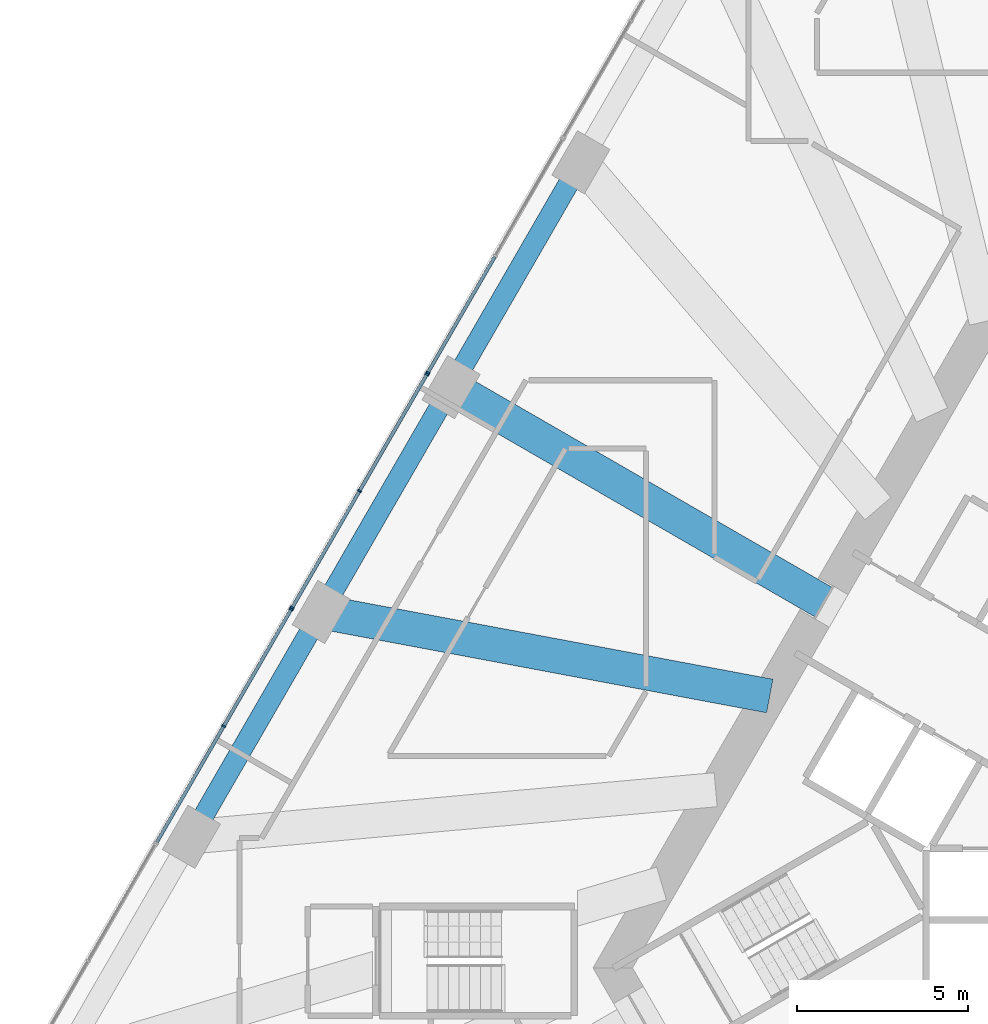
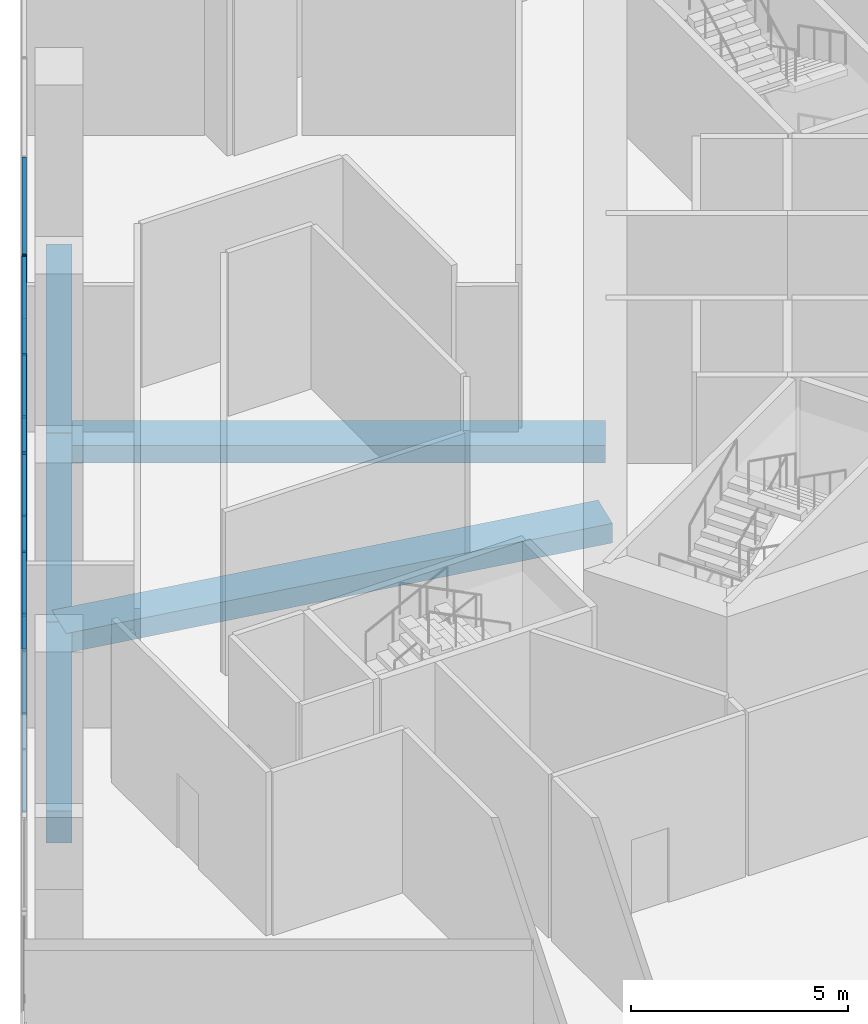
# One storey, part 12 of 32: 16 members, 5 beams, 3 elements without a shape of their own.
"""IFC4 building model written with IfcOpenShell, lengths in metres."""

from ifc_helpers import new_model, si_unit, direction, frame, origin, origin_2d, place, context, subcontext, project, spatial, rectangle, extrude, material, layer, layer_set, material_profile, profile_set, type_object, element, aggregate, save


model = new_model("IFC4")

# Units and contexts
model_context = context("Model", 3, precision=1e-05, world=origin(), true_north=direction((0.0, 1.0)))
body_context = subcontext(model_context, "Body", "Model", "MODEL_VIEW")
ifc_project = project(units=[si_unit("LENGTHUNIT", "METRE"), si_unit("AREAUNIT", "SQUARE_METRE"), si_unit("VOLUMEUNIT", "CUBIC_METRE"), si_unit("PLANEANGLEUNIT", "RADIAN"), si_unit("MASSUNIT", "GRAM", prefix="KILO")], contexts=[model_context])

# Site, building, storey
site_placement = place(None, origin())
site = spatial("IfcSite", under=ifc_project, at=site_placement, CompositionType="ELEMENT")
building_placement = place(site_placement, origin())
building = spatial("IfcBuilding", under=site, at=building_placement, Name="Triada Interchange Tower", CompositionType="ELEMENT")
storey_placement = place(building_placement, frame((0.0, 0.0, 25.300048828125)))
storey = spatial("IfcBuildingStorey", under=building, at=storey_placement, Name="L04", CompositionType="ELEMENT", Elevation=25.300048828125)

# Curtain wall, member
ifc_material_1 = material(Name="Aluminium framed glazing", Category="aluminium")
ifc_layer = layer(ifc_material_1, 0.199951171875)
ifc_layer_set = layer_set([ifc_layer], Name="Curtain wall Winter garden glazing")
curtain_wall_type = type_object("IfcCurtainWallType", Name="Curtain wall Winter garden glazing", PredefinedType="NOTDEFINED", material=ifc_layer_set)
curtain_wall_1_placement = place(storey_placement, origin())
curtain_wall_1 = element("IfcCurtainWall", 1, at=curtain_wall_1_placement, inside=storey, type_object=curtain_wall_type, Name="Winter garden glazing CW025 L04", PredefinedType="NOTDEFINED")
ifc_material_2 = material(Name="Aluminium", Category="aluminium")
ifc_material_profile_1 = material_profile(ifc_material_2, rectangle(XDim=0.1201171875, YDim=0.050048828125, at=origin_2d()), Name="Aluminium mullion")
ifc_profile_set_1 = profile_set([ifc_material_profile_1], Name="Aluminium")
member_type_1 = type_object("IfcMemberType", Name="Mullion Winter garden glazing 120x50", PredefinedType="MULLION", material=ifc_profile_set_1)
member_1_placement = place(storey_placement, frame((-19.383544921875, 11.2255859375, 0.0), z_axis=(0.0, 0.0, 1.0), x_axis=(0.866086968603, -0.499893351442, 0.0)))
member_1 = element("IfcMember", 2, at=member_1_placement, type_object=member_type_1, Name="CW025 mullion 3", PredefinedType="MULLION", context=body_context, shape_type="SweptSolid", body=[
    extrude(rectangle(XDim=0.1201171875, YDim=0.050048828125, at=origin_2d()), origin(), (0.0, 0.0, 1.0), 4.599853515625),
])

# Curtain wall, members
curtain_wall_2_placement = place(storey_placement, origin())
curtain_wall_2 = element("IfcCurtainWall", 3, at=curtain_wall_2_placement, inside=storey, type_object=curtain_wall_type, Name="Winter garden glazing CW026 L04", PredefinedType="NOTDEFINED")
member_2_placement = place(storey_placement, frame((-19.41455078125, 11.17431640625, 0.0), z_axis=(0.0, 0.0, 1.0), x_axis=(0.866086968603, -0.499893351442, 0.0)))
member_2 = element("IfcMember", 4, at=member_2_placement, type_object=member_type_1, Name="CW026 mullion 1", PredefinedType="MULLION", context=body_context, shape_type="SweptSolid", body=[
    extrude(rectangle(XDim=0.1201171875, YDim=0.050048828125, at=origin_2d()), origin(), (0.0, 0.0, 1.0), 4.599853515625),
])
member_3_placement = place(storey_placement, frame((-21.385498046875, 7.759521484375, 0.0), z_axis=(0.0, 0.0, 1.0), x_axis=(0.866086968603, -0.499893351442, 0.0)))
member_3 = element("IfcMember", 5, at=member_3_placement, type_object=member_type_1, Name="CW026 mullion 2", PredefinedType="MULLION", context=body_context, shape_type="SweptSolid", body=[
    extrude(rectangle(XDim=0.1201171875, YDim=0.050048828125, at=origin_2d()), origin(), (0.0, 0.0, 1.0), 4.599853515625),
])
member_4_placement = place(storey_placement, frame((-23.3564453125, 4.3447265625, 0.0), z_axis=(0.0, 0.0, 1.0), x_axis=(0.866086968603, -0.499893351442, 0.0)))
member_4 = element("IfcMember", 6, at=member_4_placement, type_object=member_type_1, Name="CW026 mullion 3", PredefinedType="MULLION", context=body_context, shape_type="SweptSolid", body=[
    extrude(rectangle(XDim=0.1201171875, YDim=0.050048828125, at=origin_2d()), origin(), (0.0, 0.0, 1.0), 4.599853515625),
])

curtain_wall_3_placement = place(storey_placement, origin())
curtain_wall_3 = element("IfcCurtainWall", 7, at=curtain_wall_3_placement, inside=storey, type_object=curtain_wall_type, Name="Winter garden glazing CW027 L04", PredefinedType="NOTDEFINED")
member_5_placement = place(storey_placement, frame((-23.387451171875, 4.292236328125, 0.0), z_axis=(0.0, 0.0, 1.0), x_axis=(0.866055473648, -0.499947913852, 0.0)))
member_5 = element("IfcMember", 8, at=member_5_placement, type_object=member_type_1, Name="CW027 mullion 1", PredefinedType="MULLION", context=body_context, shape_type="SweptSolid", body=[
    extrude(rectangle(XDim=0.1201171875, YDim=0.050048828125, at=origin_2d()), origin(), (0.0, 0.0, 1.0), 4.599853515625),
])
member_6_placement = place(storey_placement, frame((-25.3583984375, 0.8779296875, 0.0), z_axis=(0.0, 0.0, 1.0), x_axis=(0.866055473648, -0.499947913852, 0.0)))
member_6 = element("IfcMember", 9, at=member_6_placement, type_object=member_type_1, Name="CW027 mullion 2", PredefinedType="MULLION", context=body_context, shape_type="SweptSolid", body=[
    extrude(rectangle(XDim=0.1201171875, YDim=0.050048828125, at=origin_2d()), origin(), (0.0, 0.0, 1.0), 4.599853515625),
])

# Beams
ifc_material_3 = material(Name="Concrete C50/60", Category="concrete")
ifc_material_profile_2 = material_profile(ifc_material_3, rectangle(XDim=1.0, YDim=0.5, at=origin_2d()), Name="RC 1000x500")
ifc_profile_set_2 = profile_set([ifc_material_profile_2], Name="Concrete C50/60")
beam_type_1 = type_object("IfcBeamType", Name="Radial band beam P RC 1000x500", PredefinedType="BEAM", material=ifc_profile_set_2)
beam_1_placement = place(storey_placement, frame((-18.7060546875, 10.800048828125, -0.650146484375), z_axis=(0.866027481415, -0.499996401421, 0.0), x_axis=(0.499996401421, 0.866027481415, 0.0)))
element("IfcBeam", 10, at=beam_1_placement, inside=storey, type_object=beam_type_1, Name="Radial band beam BP05 L04", PredefinedType="BEAM", context=body_context, shape_type="SweptSolid", body=[
    extrude(rectangle(XDim=1.0, YDim=0.5, at=origin_2d()), origin(), (0.0, 0.0, 1.0), 12.60009765625),
])
ifc_material_profile_3 = material_profile(ifc_material_3, rectangle(XDim=1.0, YDim=0.550048828125, at=origin_2d()), Name="RC 1000x550")
ifc_profile_set_3 = profile_set([ifc_material_profile_3], Name="Concrete C50/60")
beam_type_2 = type_object("IfcBeamType", Name="Radial band beam P RC 1000x550", PredefinedType="BEAM", material=ifc_profile_set_3)
beam_2_placement = place(storey_placement, frame((-22.506103515625, 4.218994140625, -0.675048828125), z_axis=(0.982880256044, -0.184245494596, 0.0), x_axis=(0.184245494596, 0.982880256044, 0.0)))
element("IfcBeam", 11, at=beam_2_placement, inside=storey, type_object=beam_type_2, Name="Radial band beam BP06 L04", PredefinedType="BEAM", context=body_context, shape_type="SweptSolid", body=[
    extrude(rectangle(XDim=1.0, YDim=0.550048828125, at=origin_2d()), origin(), (0.0, 0.0, 1.0), 13.35693359375),
])
ifc_material_profile_4 = material_profile(ifc_material_3, rectangle(XDim=0.60009765625, YDim=0.89990234375, at=origin_2d()), Name="RC 600x900")
ifc_profile_set_4 = profile_set([ifc_material_profile_4], Name="Concrete C50/60")
beam_type_3 = type_object("IfcBeamType", Name="Spandrel beam P RC 600x900", PredefinedType="BEAM", material=ifc_profile_set_4)
for number, where, z_axis, x_axis, name in (
    (12, (-14.906005859375, 17.381103515625, -0.85009765625), (-0.500046891162, -0.865998329467, 0.0), (0.865998329467, -0.500046891162, 0.0), "Spandrel beam EP04 L04"),
    (13, (-18.7060546875, 10.800048828125, -0.85009765625), (-0.500046891162, -0.865998329467, 0.0), (0.865998329467, -0.500046891162, 0.0), "Spandrel beam EP05 L04"),
    (14, (-22.506103515625, 4.218994140625, -0.85009765625), (-0.500022797313, -0.86601224135, 0.0), (0.86601224135, -0.500022797313, 0.0), "Spandrel beam EP06 L04"),
):
    element("IfcBeam", number, at=place(storey_placement, frame(where, z_axis=z_axis, x_axis=x_axis)), inside=storey, type_object=beam_type_3, Name=name, PredefinedType="BEAM", context=body_context, shape_type="SweptSolid", body=[
        extrude(rectangle(XDim=0.60009765625, YDim=0.89990234375, at=origin_2d()), origin(), (0.0, 0.0, 1.0), 7.599365234375),
    ])

# Member
ifc_material_profile_5 = material_profile(ifc_material_2, rectangle(XDim=0.10009765625, YDim=0.050048828125, at=origin_2d()), Name="Aluminium transom")
ifc_profile_set_5 = profile_set([ifc_material_profile_5], Name="Aluminium")
member_type_2 = type_object("IfcMemberType", Name="Transom Winter garden glazing 100x50", PredefinedType="USERDEFINED", material=ifc_profile_set_5)
member_7_placement = place(storey_placement, frame((-17.425048828125, 14.618896484375, 0.02490234375), z_axis=(-0.499896178229, -0.866085337015, 0.0), x_axis=(0.866085337015, -0.499896178229, 0.0)))
member_7 = element("IfcMember", 15, at=member_7_placement, type_object=member_type_2, Name="CW025 transom 2.1", ObjectType="TRANSOM", PredefinedType="USERDEFINED", context=body_context, shape_type="SweptSolid", body=[
    extrude(rectangle(XDim=0.10009765625, YDim=0.050048828125, at=origin_2d()), origin(), (0.0, 0.0, 1.0), 3.892822265625),
])

member_8_placement = place(storey_placement, frame((-17.425048828125, 14.618896484375, 4.574951171875), z_axis=(-0.499896178229, -0.866085337015, 0.0), x_axis=(0.866085337015, -0.499896178229, 0.0)))
member_8 = element("IfcMember", 16, at=member_8_placement, type_object=member_type_2, Name="CW025 transom 2.2", ObjectType="TRANSOM", PredefinedType="USERDEFINED", context=body_context, shape_type="SweptSolid", body=[
    extrude(rectangle(XDim=0.10009765625, YDim=0.050048828125, at=origin_2d()), origin(), (0.0, 0.0, 1.0), 3.892822265625),
])

aggregate(curtain_wall_1, [member_1, member_7, member_8])

member_9_placement = place(storey_placement, frame((-19.427001953125, 11.152587890625, 0.02490234375), z_axis=(-0.499923331814, -0.866069663658, 0.0), x_axis=(0.866069663658, -0.499923331814, 0.0)))
member_9 = element("IfcMember", 17, at=member_9_placement, type_object=member_type_2, Name="CW026 transom 1.1", ObjectType="TRANSOM", PredefinedType="USERDEFINED", context=body_context, shape_type="SweptSolid", body=[
    extrude(rectangle(XDim=0.10009765625, YDim=0.050048828125, at=origin_2d()), origin(), (0.0, 0.0, 1.0), 3.892578125),
])

member_10_placement = place(storey_placement, frame((-19.427001953125, 11.152587890625, 4.574951171875), z_axis=(-0.499923331814, -0.866069663658, 0.0), x_axis=(0.866069663658, -0.499923331814, 0.0)))
member_10 = element("IfcMember", 18, at=member_10_placement, type_object=member_type_2, Name="CW026 transom 1.2", ObjectType="TRANSOM", PredefinedType="USERDEFINED", context=body_context, shape_type="SweptSolid", body=[
    extrude(rectangle(XDim=0.10009765625, YDim=0.050048828125, at=origin_2d()), origin(), (0.0, 0.0, 1.0), 3.892578125),
])

member_11_placement = place(storey_placement, frame((-21.39794921875, 7.73779296875, 0.02490234375), z_axis=(-0.499896178229, -0.866085337015, 0.0), x_axis=(0.866085337015, -0.499896178229, 0.0)))
member_11 = element("IfcMember", 19, at=member_11_placement, type_object=member_type_2, Name="CW026 transom 2.1", ObjectType="TRANSOM", PredefinedType="USERDEFINED", context=body_context, shape_type="SweptSolid", body=[
    extrude(rectangle(XDim=0.10009765625, YDim=0.050048828125, at=origin_2d()), origin(), (0.0, 0.0, 1.0), 3.892822265625),
])

member_12_placement = place(storey_placement, frame((-21.39794921875, 7.73779296875, 4.574951171875), z_axis=(-0.499896178229, -0.866085337015, 0.0), x_axis=(0.866085337015, -0.499896178229, 0.0)))
member_12 = element("IfcMember", 20, at=member_12_placement, type_object=member_type_2, Name="CW026 transom 2.2", ObjectType="TRANSOM", PredefinedType="USERDEFINED", context=body_context, shape_type="SweptSolid", body=[
    extrude(rectangle(XDim=0.10009765625, YDim=0.050048828125, at=origin_2d()), origin(), (0.0, 0.0, 1.0), 3.892822265625),
])

aggregate(curtain_wall_2, [member_2, member_3, member_4, member_9, member_10, member_11, member_12])

member_13_placement = place(storey_placement, frame((-23.39990234375, 4.270751953125, 0.02490234375), z_axis=(-0.499950487857, -0.866053987747, 0.0), x_axis=(0.866053987747, -0.499950487857, 0.0)))
member_13 = element("IfcMember", 21, at=member_13_placement, type_object=member_type_2, Name="CW027 transom 1.1", ObjectType="TRANSOM", PredefinedType="USERDEFINED", context=body_context, shape_type="SweptSolid", body=[
    extrude(rectangle(XDim=0.10009765625, YDim=0.050048828125, at=origin_2d()), origin(), (0.0, 0.0, 1.0), 3.892578125),
])

member_14_placement = place(storey_placement, frame((-23.39990234375, 4.270751953125, 4.574951171875), z_axis=(-0.499950487857, -0.866053987747, 0.0), x_axis=(0.866053987747, -0.499950487857, 0.0)))
member_14 = element("IfcMember", 22, at=member_14_placement, type_object=member_type_2, Name="CW027 transom 1.2", ObjectType="TRANSOM", PredefinedType="USERDEFINED", context=body_context, shape_type="SweptSolid", body=[
    extrude(rectangle(XDim=0.10009765625, YDim=0.050048828125, at=origin_2d()), origin(), (0.0, 0.0, 1.0), 3.892578125),
])

member_15_placement = place(storey_placement, frame((-25.37109375, 0.8564453125, 0.02490234375), z_axis=(-0.499903441657, -0.866081144593, 0.0), x_axis=(0.866081144593, -0.499903441657, 0.0)))
member_15 = element("IfcMember", 23, at=member_15_placement, type_object=member_type_2, Name="CW027 transom 2.1", ObjectType="TRANSOM", PredefinedType="USERDEFINED", context=body_context, shape_type="SweptSolid", body=[
    extrude(rectangle(XDim=0.10009765625, YDim=0.050048828125, at=origin_2d()), origin(), (0.0, 0.0, 1.0), 3.892333984375),
])

member_16_placement = place(storey_placement, frame((-25.37109375, 0.8564453125, 4.574951171875), z_axis=(-0.499903441657, -0.866081144593, 0.0), x_axis=(0.866081144593, -0.499903441657, 0.0)))
member_16 = element("IfcMember", 24, at=member_16_placement, type_object=member_type_2, Name="CW027 transom 2.2", ObjectType="TRANSOM", PredefinedType="USERDEFINED", context=body_context, shape_type="SweptSolid", body=[
    extrude(rectangle(XDim=0.10009765625, YDim=0.050048828125, at=origin_2d()), origin(), (0.0, 0.0, 1.0), 3.892333984375),
])

aggregate(curtain_wall_3, [member_5, member_6, member_13, member_14, member_15, member_16])

save(model, "model.ifc")
